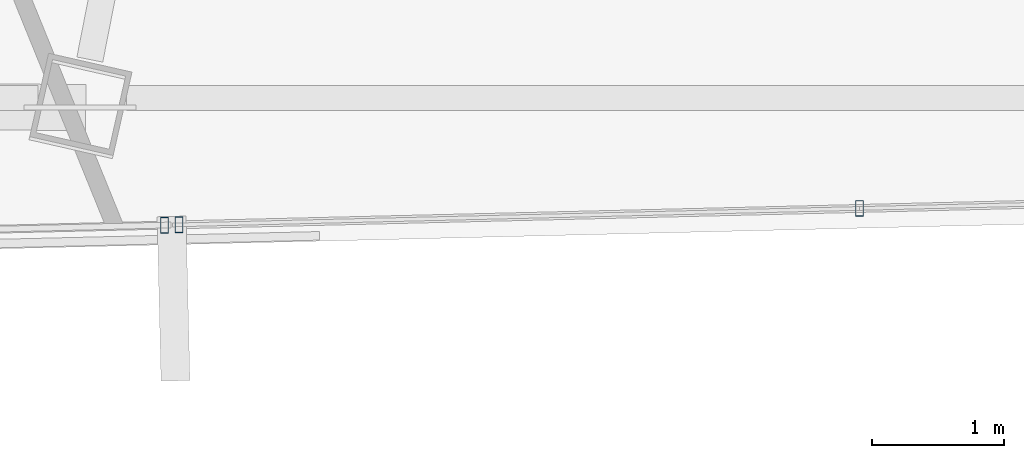
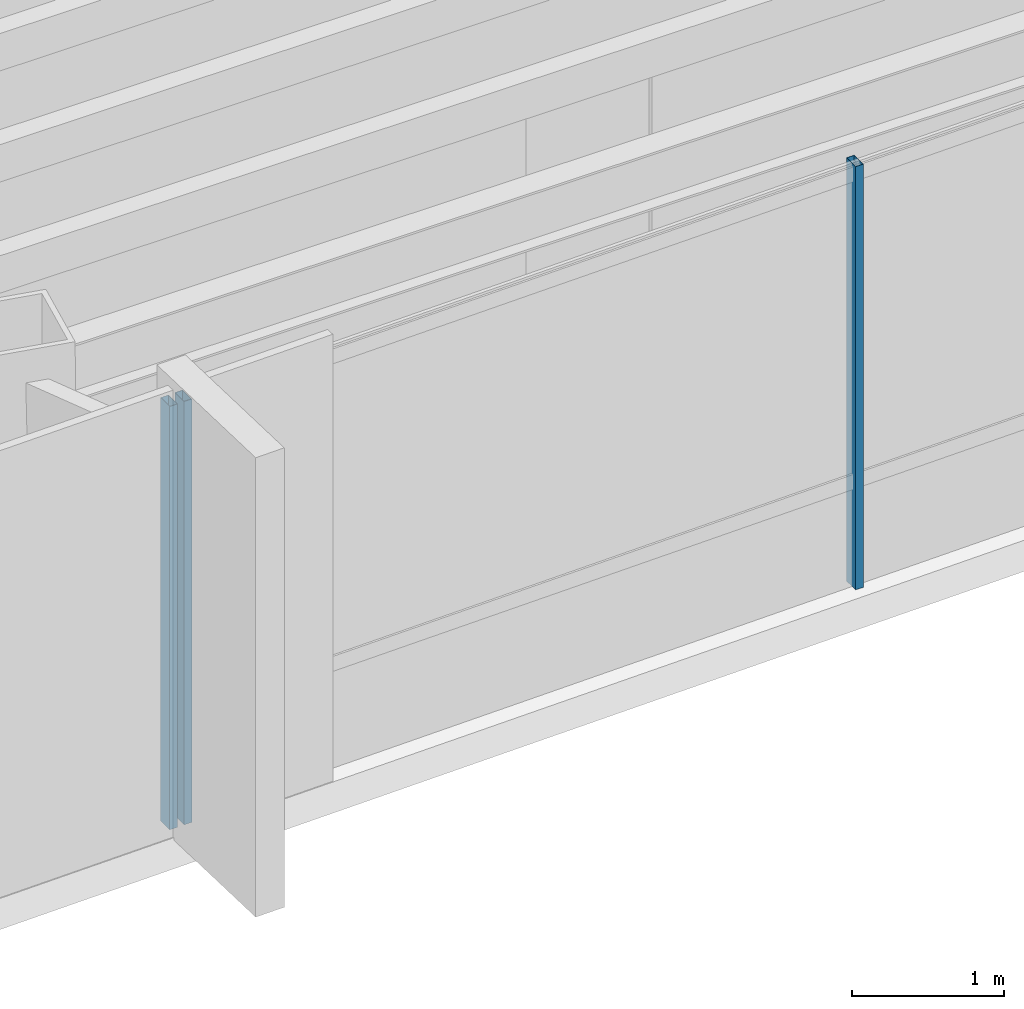
# One storey, part 19 of 48: 3 members, 2 elements without a shape of their own.
"""IFC4 building model written with IfcOpenShell, lengths in metres."""

from ifc_helpers import new_model, si_unit, direction, frame, origin, origin_2d, place, context, subcontext, project, spatial, hollow_rectangle, extrude, source, transform, mapped, material, material_profile, profile_set, type_object, type_shapes, element, aggregate, save


model = new_model("IFC4")

# Units and contexts
model_context = context("Model", 3, precision=1e-05, world=origin(), true_north=direction((0.0, 1.0)))
body_context = subcontext(model_context, "Body", "Model", "MODEL_VIEW")
ifc_project = project(units=[si_unit("LENGTHUNIT", "METRE"), si_unit("AREAUNIT", "SQUARE_METRE"), si_unit("VOLUMEUNIT", "CUBIC_METRE"), si_unit("PLANEANGLEUNIT", "RADIAN"), si_unit("MASSUNIT", "GRAM", prefix="KILO")], contexts=[model_context])

# Site, building, storey
site_placement = place(None, origin())
site = spatial("IfcSite", under=ifc_project, at=site_placement, CompositionType="ELEMENT")
building_placement = place(site_placement, origin())
building = spatial("IfcBuilding", under=site, at=building_placement, Name="Caelisora Broadcast Tower", CompositionType="ELEMENT")
storey_placement = place(building_placement, frame((0.0, 0.0, 270.0)))
storey = spatial("IfcBuildingStorey", under=building, at=storey_placement, Name="L71", CompositionType="ELEMENT", Elevation=270.0)

# Curtain wall, members
ifc_material_1 = material(Name="Unitised Aluminium and Low-E Glass Curtain Wall", Category="glass")
curtain_wall_type_1 = type_object("IfcCurtainWallType", Name="CW-Z5", PredefinedType="NOTDEFINED", material=ifc_material_1)
curtain_wall_1_placement = place(storey_placement, origin())
curtain_wall_1 = element("IfcCurtainWall", 1, at=curtain_wall_1_placement, inside=storey, type_object=curtain_wall_type_1, Name="L71 curtain wall CW-Z5", PredefinedType="NOTDEFINED")
ifc_material_2 = material(Name="Aluminium 6063-T6 Anodised Terracotta Bronze", Category="aluminium")
ifc_material_profile = material_profile(ifc_material_2, hollow_rectangle(XDim=0.06005859375, YDim=0.1201171875, WallThickness=0.0029296875, at=origin_2d()), Name="Aluminium 6063-T6 Anodised Terracotta Bronze")
ifc_profile_set = profile_set([ifc_material_profile], Name="Aluminium 6063-T6 Anodised Terracotta Bronze")
member_type = type_object("IfcMemberType", Name="CWM-04", PredefinedType="MULLION", material=ifc_profile_set)
shared_shape = source(origin(), body_context, "Body", "SweptSolid", [
    extrude(hollow_rectangle(XDim=0.06005859375, YDim=0.1201171875, WallThickness=0.0029296875, at=origin_2d()), origin(), (0.0, 0.0, 1.0), 3.39990234375),
])
type_shapes(member_type, [shared_shape])
member_1_placement = place(storey_placement, frame((49.890869140625, 8.833984375, 0.0), z_axis=(0.0, 0.0, 1.0), x_axis=(1.0, 0.0, 0.0)))
member_1 = element("IfcMember", 2, at=member_1_placement, type_object=member_type, Name="L71-CW-B05 mullion #2", PredefinedType="MULLION", context=body_context, shape_type="MappedRepresentation", body=[
    mapped(shared_shape, transform((0.0, 0.0, 0.0), scale=1.0)),
])
member_2_placement = place(storey_placement, frame((44.71728515625, 8.709716796875, 0.0), z_axis=(0.0, 0.0, 1.0), x_axis=(1.0, 0.0, 0.0)))
member_2 = element("IfcMember", 3, at=member_2_placement, type_object=member_type, Name="L71-CW-B05 mullion #3", PredefinedType="MULLION", context=body_context, shape_type="MappedRepresentation", body=[
    mapped(shared_shape, transform((0.0, 0.0, 0.0), scale=1.0)),
])
aggregate(curtain_wall_1, [member_1, member_2])

# Curtain wall, member
ifc_material_3 = material(Name="Unitised Aluminium Insulated Shadow-Box Spandrel Curtain Wall", Category="aluminium")
curtain_wall_type_2 = type_object("IfcCurtainWallType", Name="CW-SP3", PredefinedType="NOTDEFINED", material=ifc_material_3)
curtain_wall_2_placement = place(storey_placement, origin())
curtain_wall_2 = element("IfcCurtainWall", 4, at=curtain_wall_2_placement, inside=storey, type_object=curtain_wall_type_2, Name="L71 curtain wall CW-SP3", PredefinedType="NOTDEFINED")
member_3_placement = place(storey_placement, frame((44.607421875, 8.70703125, 0.0), z_axis=(0.0, 0.0, 1.0), x_axis=(1.0, 0.0, 0.0)))
member_3 = element("IfcMember", 5, at=member_3_placement, type_object=member_type, Name="L71-CW-B06 mullion #0", PredefinedType="MULLION", context=body_context, shape_type="MappedRepresentation", body=[
    mapped(shared_shape, transform((0.0, 0.0, 0.0), scale=1.0)),
])
aggregate(curtain_wall_2, [member_3])

save(model, "model.ifc")
